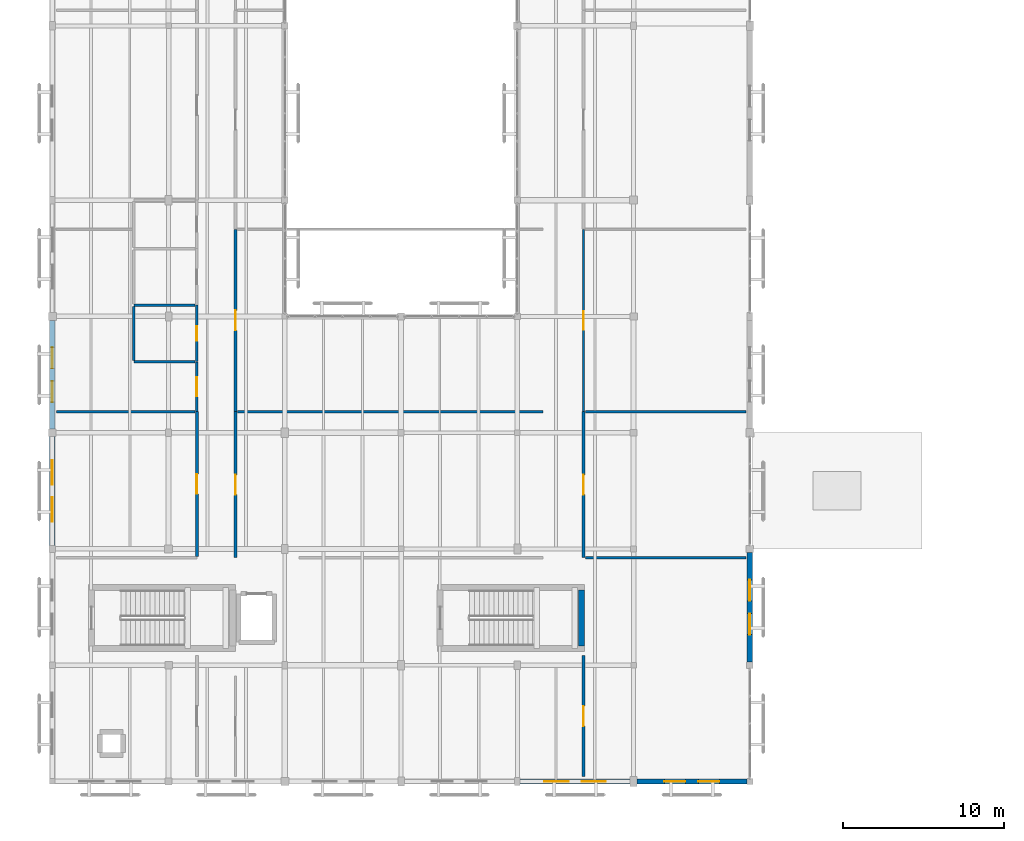
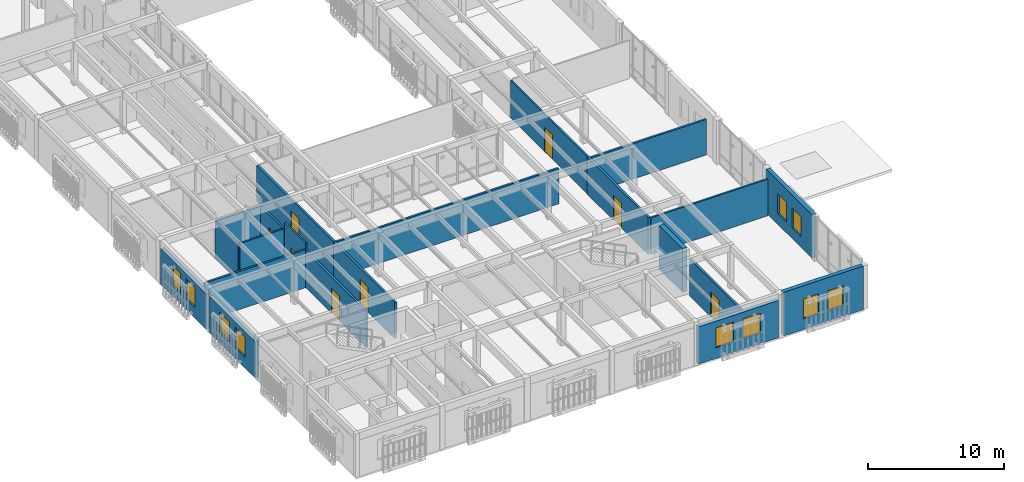
# One storey, part 46 of 61: 21 walls, 10 windows, 8 doors, 18 openings.
"""IFC4 building model written with IfcOpenShell, lengths in metres."""

from ifc_helpers import new_model, si_unit, direction, frame, frame_2d, origin, place, context, subcontext, project, spatial, rectangle, extrude, material, layer, layer_set, type_object, element, fill, save


model = new_model("IFC4")

# Units and contexts
model_context = context("Model", 3, precision=1e-05, world=origin(), true_north=direction((0.0, 1.0)))
body_context = subcontext(model_context, "Body", "Model", "MODEL_VIEW")
ifc_project = project(units=[si_unit("LENGTHUNIT", "METRE"), si_unit("AREAUNIT", "SQUARE_METRE"), si_unit("VOLUMEUNIT", "CUBIC_METRE"), si_unit("PLANEANGLEUNIT", "RADIAN"), si_unit("MASSUNIT", "GRAM", prefix="KILO")], contexts=[model_context])

# Site, building, storey
site_placement = place(None, origin())
site = spatial("IfcSite", under=ifc_project, at=site_placement, CompositionType="ELEMENT")
building_placement = place(site_placement, origin())
building = spatial("IfcBuilding", under=site, at=building_placement, Name="Mazaris Harbour Polytechnic", CompositionType="ELEMENT")
storey_placement = place(building_placement, frame((0.0, 0.0, 18.0)))
storey = spatial("IfcBuildingStorey", under=building, at=storey_placement, Name="L04", CompositionType="ELEMENT", Elevation=18.0)

# Wall
ifc_material_1 = material(Name="Double Gypsum and Mineral Wool")
ifc_layer_1 = layer(ifc_material_1, 0.14990234375, Name="Double Gypsum and Mineral Wool")
ifc_layer_set_1 = layer_set([ifc_layer_1], Name="Double Gypsum and Mineral Wool")
wall_type_1 = type_object("IfcWallType", Name="Classroom Acoustic Partition 150", PredefinedType="PARTITIONING", material=ifc_layer_set_1)
wall_1_placement = place(storey_placement, frame((33.02001953125, 21.06005859375, 0.0), z_axis=(0.0, 0.0, 1.0), x_axis=(1.0, 0.0, 0.0)))
element("IfcWall", 1, at=wall_1_placement, inside=storey, type_object=wall_type_1, Name="V4 L04 Partition 469", PredefinedType="PARTITIONING", context=body_context, shape_type="SweptSolid", body=[
    extrude(rectangle(XDim=9.929931640625, YDim=0.14990234375, at=frame_2d((4.96484375, 0.0))), origin(), (0.0, 0.0, 1.0), 3.294921875),
])

# Wall, opening, door
ifc_material_2 = material(Name="Terracotta Block and Plaster", Category="masonry")
ifc_layer_2 = layer(ifc_material_2, 0.179931640625, Name="Terracotta Block and Plaster")
ifc_layer_set_2 = layer_set([ifc_layer_2], Name="Terracotta Block and Plaster")
wall_type_2 = type_object("IfcWallType", Name="Corridor Fire Partition 180", PredefinedType="PARTITIONING", material=ifc_layer_set_2)
wall_2_placement = place(storey_placement, frame((8.949951171875, 21.14501953125, 0.0), z_axis=(0.0, 0.0, 1.0), x_axis=(0.0, 1.0, 0.0)))
wall_2 = element("IfcWall", 2, at=wall_2_placement, inside=storey, type_object=wall_type_2, Name="V4 L04 Partition 447", PredefinedType="PARTITIONING", context=body_context, shape_type="SweptSolid", body=[
    extrude(rectangle(XDim=8.955078125, YDim=0.179931640625, at=frame_2d((4.4775390625, 0.0))), origin(), (0.0, 0.0, 1.0), 3.2548828125),
])
opening_1_placement = place(wall_2_placement, frame((3.867431640625, 0.0, 0.0)))
opening_1 = element("IfcOpeningElement", 3, at=opening_1_placement, cuts=wall_2, Name="Opening ID-10L", PredefinedType="OPENING", context=body_context, shape_type="SweptSolid", body=[
    extrude(rectangle(XDim=1.219970703125, YDim=2.25, at=frame_2d((0.60986328125, 1.125))), frame((0.0, 0.099853515625, 0.0), z_axis=(0.0, -1.0, 0.0), x_axis=(1.0, 0.0, 0.0)), (0.0, 0.0, 1.0), 0.199951171875),
])
ifc_material_3 = material(Name="Glulam Timber and Glass", Category="wood")
door_type_1 = type_object("IfcDoorType", Name="Library Commons Door LH 1220x2250", OperationType="SINGLE_SWING_LEFT", PredefinedType="DOOR", material=ifc_material_3)
door_1_placement = place(opening_1_placement, origin())
door_1 = element("IfcDoor", 4, at=door_1_placement, inside=storey, type_object=door_type_1, Name="ID-0211", OperationType="SINGLE_SWING_LEFT", OverallHeight=2.25, OverallWidth=1.219970703125, PredefinedType="DOOR", context=body_context, shape_type="SweptSolid", body=[
    extrude(rectangle(XDim=1.219970703125, YDim=2.25, at=frame_2d((0.60986328125, 1.125))), frame((0.0, 0.02490234375, 0.0), z_axis=(0.0, -1.0, 0.0), x_axis=(1.0, 0.0, 0.0)), (0.0, 0.0, 1.0), 0.050048828125),
])
fill(opening_1, door_1)

wall_3_placement = place(storey_placement, frame((11.35009765625, 21.06005859375, 0.0), z_axis=(0.0, 0.0, 1.0), x_axis=(0.0, 1.0, 0.0)))
wall_3 = element("IfcWall", 5, at=wall_3_placement, inside=storey, type_object=wall_type_2, Name="V4 L04 Partition 457", PredefinedType="PARTITIONING", context=body_context, shape_type="SweptSolid", body=[
    extrude(rectangle(XDim=9.0400390625, YDim=0.179931640625, at=frame_2d((4.52001953125, 0.0))), origin(), (0.0, 0.0, 1.0), 3.2548828125),
])
opening_2_placement = place(wall_3_placement, frame((3.909912109375, 0.0, 0.0)))
opening_2 = element("IfcOpeningElement", 6, at=opening_2_placement, cuts=wall_3, Name="Opening ID-10L", PredefinedType="OPENING", context=body_context, shape_type="SweptSolid", body=[
    extrude(rectangle(XDim=1.219970703125, YDim=2.25, at=frame_2d((0.60986328125, 1.125))), frame((0.0, 0.099853515625, 0.0), z_axis=(0.0, -1.0, 0.0), x_axis=(1.0, 0.0, 0.0)), (0.0, 0.0, 1.0), 0.199951171875),
])
door_2_placement = place(opening_2_placement, origin())
door_2 = element("IfcDoor", 7, at=door_2_placement, inside=storey, type_object=door_type_1, Name="ID-0217", OperationType="SINGLE_SWING_LEFT", OverallHeight=2.25, OverallWidth=1.219970703125, PredefinedType="DOOR", context=body_context, shape_type="SweptSolid", body=[
    extrude(rectangle(XDim=1.219970703125, YDim=2.25, at=frame_2d((0.60986328125, 1.125))), frame((0.0, 0.02490234375, 0.0), z_axis=(0.0, -1.0, 0.0), x_axis=(1.0, 0.0, 0.0)), (0.0, 0.0, 1.0), 0.050048828125),
])
fill(opening_2, door_2)

wall_4_placement = place(storey_placement, frame((11.35009765625, 30.10498046875, 0.0), z_axis=(0.0, 0.0, 1.0), x_axis=(0.0, 1.0, 0.0)))
wall_4 = element("IfcWall", 8, at=wall_4_placement, inside=storey, type_object=wall_type_2, Name="V4 L04 Partition 460", PredefinedType="PARTITIONING", context=body_context, shape_type="SweptSolid", body=[
    extrude(rectangle(XDim=11.294921875, YDim=0.179931640625, at=frame_2d((5.6474609375, 0.0))), origin(), (0.0, 0.0, 1.0), 3.2548828125),
])
opening_3_placement = place(wall_4_placement, frame((5.027587890625, 0.0, 0.0)))
opening_3 = element("IfcOpeningElement", 9, at=opening_3_placement, cuts=wall_4, Name="Opening ID-10R", PredefinedType="OPENING", context=body_context, shape_type="SweptSolid", body=[
    extrude(rectangle(XDim=1.239990234375, YDim=2.25, at=frame_2d((0.6201171875, 1.125))), frame((0.0, 0.099853515625, 0.0), z_axis=(0.0, -1.0, 0.0), x_axis=(1.0, 0.0, 0.0)), (0.0, 0.0, 1.0), 0.199951171875),
])
ifc_material_4 = material(Name="Glulam Timber and Glass", Category="wood")
door_type_2 = type_object("IfcDoorType", Name="Library Commons Door RH 1240x2250", OperationType="SINGLE_SWING_RIGHT", PredefinedType="DOOR", material=ifc_material_4)
door_3_placement = place(opening_3_placement, origin())
door_3 = element("IfcDoor", 10, at=door_3_placement, inside=storey, type_object=door_type_2, Name="ID-0218", OperationType="SINGLE_SWING_RIGHT", OverallHeight=2.25, OverallWidth=1.239990234375, PredefinedType="DOOR", context=body_context, shape_type="SweptSolid", body=[
    extrude(rectangle(XDim=1.239990234375, YDim=2.25, at=frame_2d((0.6201171875, 1.125))), frame((0.0, 0.02490234375, 0.0), z_axis=(0.0, -1.0, 0.0), x_axis=(1.0, 0.0, 0.0)), (0.0, 0.0, 1.0), 0.050048828125),
])
fill(opening_3, door_3)

wall_5_placement = place(storey_placement, frame((32.89990234375, 7.5, 0.0), z_axis=(0.0, 0.0, 1.0), x_axis=(0.0, 1.0, 0.0)))
wall_5 = element("IfcWall", 11, at=wall_5_placement, inside=storey, type_object=wall_type_2, Name="V4 L04 Partition 468", PredefinedType="PARTITIONING", context=body_context, shape_type="SweptSolid", body=[
    extrude(rectangle(XDim=7.4951171875, YDim=0.179931640625, at=frame_2d((3.74755859375, 0.0))), origin(), (0.0, 0.0, 1.0), 3.35498046875),
])
opening_4_placement = place(wall_5_placement, frame((3.12744140625, 0.0, 0.0)))
opening_4 = element("IfcOpeningElement", 12, at=opening_4_placement, cuts=wall_5, Name="Opening ID-10R", PredefinedType="OPENING", context=body_context, shape_type="SweptSolid", body=[
    extrude(rectangle(XDim=1.239990234375, YDim=2.25, at=frame_2d((0.6201171875, 1.125))), frame((0.0, 0.099853515625, 0.0), z_axis=(0.0, -1.0, 0.0), x_axis=(1.0, 0.0, 0.0)), (0.0, 0.0, 1.0), 0.199951171875),
])
door_4_placement = place(opening_4_placement, origin())
door_4 = element("IfcDoor", 13, at=door_4_placement, inside=storey, type_object=door_type_2, Name="ID-0222", OperationType="SINGLE_SWING_RIGHT", OverallHeight=2.25, OverallWidth=1.239990234375, PredefinedType="DOOR", context=body_context, shape_type="SweptSolid", body=[
    extrude(rectangle(XDim=1.239990234375, YDim=2.25, at=frame_2d((0.6201171875, 1.125))), frame((0.0, 0.02490234375, 0.0), z_axis=(0.0, -1.0, 0.0), x_axis=(1.0, 0.0, 0.0)), (0.0, 0.0, 1.0), 0.050048828125),
])
fill(opening_4, door_4)

wall_6_placement = place(storey_placement, frame((32.89990234375, 21.06005859375, 0.0), z_axis=(0.0, 0.0, 1.0), x_axis=(0.0, 1.0, 0.0)))
wall_6 = element("IfcWall", 14, at=wall_6_placement, inside=storey, type_object=wall_type_2, Name="V4 L04 Partition 470", PredefinedType="PARTITIONING", context=body_context, shape_type="SweptSolid", body=[
    extrude(rectangle(XDim=9.0400390625, YDim=0.179931640625, at=frame_2d((4.52001953125, 0.0))), origin(), (0.0, 0.0, 1.0), 3.35498046875),
])
opening_5_placement = place(wall_6_placement, frame((3.909912109375, 0.0, 0.0)))
opening_5 = element("IfcOpeningElement", 15, at=opening_5_placement, cuts=wall_6, Name="Opening ID-10L", PredefinedType="OPENING", context=body_context, shape_type="SweptSolid", body=[
    extrude(rectangle(XDim=1.219970703125, YDim=2.25, at=frame_2d((0.60986328125, 1.125))), frame((0.0, 0.099853515625, 0.0), z_axis=(0.0, -1.0, 0.0), x_axis=(1.0, 0.0, 0.0)), (0.0, 0.0, 1.0), 0.199951171875),
])
door_5_placement = place(opening_5_placement, origin())
door_5 = element("IfcDoor", 16, at=door_5_placement, inside=storey, type_object=door_type_1, Name="ID-0223", OperationType="SINGLE_SWING_LEFT", OverallHeight=2.25, OverallWidth=1.219970703125, PredefinedType="DOOR", context=body_context, shape_type="SweptSolid", body=[
    extrude(rectangle(XDim=1.219970703125, YDim=2.25, at=frame_2d((0.60986328125, 1.125))), frame((0.0, 0.02490234375, 0.0), z_axis=(0.0, -1.0, 0.0), x_axis=(1.0, 0.0, 0.0)), (0.0, 0.0, 1.0), 0.050048828125),
])
fill(opening_5, door_5)

# Walls
ifc_material_5 = material(Name="Fireboard and Mineral Wool")
ifc_layer_3 = layer(ifc_material_5, 0.1650390625, Name="Fireboard and Mineral Wool")
ifc_layer_set_3 = layer_set([ifc_layer_3], Name="Fireboard and Mineral Wool")
wall_type_3 = type_object("IfcWallType", Name="Laboratory Rated Partition 165", PredefinedType="PARTITIONING", material=ifc_layer_set_3)
wall_7_placement = place(storey_placement, frame((0.25, 30.10009765625, 0.0), z_axis=(0.0, 0.0, 1.0), x_axis=(1.0, 0.0, 0.0)))
element("IfcWall", 17, at=wall_7_placement, inside=storey, type_object=wall_type_3, Name="V4 L04 Partition 448", PredefinedType="PARTITIONING", context=body_context, shape_type="SweptSolid", body=[
    extrude(rectangle(XDim=8.580078125, YDim=0.1650390625, at=frame_2d((4.2900390625, 0.0))), origin(), (0.0, 0.0, 1.0), 3.4150390625),
])
wall_8_placement = place(storey_placement, frame((11.469970703125, 30.10009765625, 0.0), z_axis=(0.0, 0.0, 1.0), x_axis=(1.0, 0.0, 0.0)))
element("IfcWall", 18, at=wall_8_placement, inside=storey, type_object=wall_type_3, Name="V4 L04 Partition 459", PredefinedType="PARTITIONING", context=body_context, shape_type="SweptSolid", body=[
    extrude(rectangle(XDim=18.909912109375, YDim=0.1650390625, at=frame_2d((9.455078125, 0.0))), origin(), (0.0, 0.0, 1.0), 3.195068359375),
])
wall_9_placement = place(storey_placement, frame((33.02001953125, 30.10009765625, 0.0), z_axis=(0.0, 0.0, 1.0), x_axis=(1.0, 0.0, 0.0)))
element("IfcWall", 19, at=wall_9_placement, inside=storey, type_object=wall_type_3, Name="V4 L04 Partition 471", PredefinedType="PARTITIONING", context=body_context, shape_type="SweptSolid", body=[
    extrude(rectangle(XDim=9.929931640625, YDim=0.1650390625, at=frame_2d((4.96484375, 0.0))), origin(), (0.0, 0.0, 1.0), 3.195068359375),
])

# Wall, opening, door
ifc_material_6 = material(Name="Moisture-Resistant Blockwork", Category="masonry")
ifc_layer_4 = layer(ifc_material_6, 0.175048828125, Name="Moisture-Resistant Blockwork")
ifc_layer_set_4 = layer_set([ifc_layer_4], Name="Moisture-Resistant Blockwork")
wall_type_4 = type_object("IfcWallType", Name="Laboratory Wet Service Wall 175", PredefinedType="PLUMBINGWALL", material=ifc_layer_set_4)
wall_10_placement = place(storey_placement, frame((8.949951171875, 33.199951171875, 0.0), z_axis=(0.0, 0.0, 1.0), x_axis=(0.0, 1.0, 0.0)))
wall_10 = element("IfcWall", 20, at=wall_10_placement, inside=storey, type_object=wall_type_4, Name="V4 L04 Partition 435", PredefinedType="PLUMBINGWALL", context=body_context, shape_type="SweptSolid", body=[
    extrude(rectangle(XDim=3.5, YDim=0.175048828125, at=frame_2d((1.75, 0.0))), origin(), (0.0, 0.0, 1.0), 3.2548828125),
])
opening_6_placement = place(wall_10_placement, frame((1.300048828125, 0.0, 0.0)))
opening_6 = element("IfcOpeningElement", 21, at=opening_6_placement, cuts=wall_10, Name="Opening ID-07R", PredefinedType="OPENING", context=body_context, shape_type="SweptSolid", body=[
    extrude(rectangle(XDim=0.89990234375, YDim=2.10009765625, at=frame_2d((0.449951171875, 1.050048828125))), frame((0.0, 0.097412109375, 0.0), z_axis=(0.0, -1.0, 0.0), x_axis=(1.0, 0.0, 0.0)), (0.0, 0.0, 1.0), 0.195068359375),
])
ifc_material_7 = material(Name="Moisture-Resistant Laminate Timber", Category="wood")
door_type_3 = type_object("IfcDoorType", Name="Sanitary Room Door RH 900x2100", OperationType="SINGLE_SWING_RIGHT", PredefinedType="DOOR", material=ifc_material_7)
door_6_placement = place(opening_6_placement, origin())
door_6 = element("IfcDoor", 22, at=door_6_placement, inside=storey, type_object=door_type_3, Name="ID-0207", OperationType="SINGLE_SWING_RIGHT", OverallHeight=2.10009765625, OverallWidth=0.89990234375, PredefinedType="DOOR", context=body_context, shape_type="SweptSolid", body=[
    extrude(rectangle(XDim=0.89990234375, YDim=2.10009765625, at=frame_2d((0.449951171875, 1.050048828125))), frame((0.0, 0.02490234375, 0.0), z_axis=(0.0, -1.0, 0.0), x_axis=(1.0, 0.0, 0.0)), (0.0, 0.0, 1.0), 0.050048828125),
])
fill(opening_6, door_6)

# Wall, openings, windows
ifc_material_8 = material(Name="Algerian Buff Limestone and Mineral Wool", Category="masonry")
ifc_layer_5 = layer(ifc_material_8, 0.330078125, Name="Algerian Buff Limestone and Mineral Wool")
ifc_layer_set_5 = layer_set([ifc_layer_5], Name="Algerian Buff Limestone and Mineral Wool")
wall_type_5 = type_object("IfcWallType", Name="Limestone Cavity Wall 330", PredefinedType="STANDARD", material=ifc_layer_set_5)
wall_11_placement = place(storey_placement, frame((35.7880859375, 7.199951171875, 0.0), z_axis=(0.0, 0.0, 1.0), x_axis=(-1.0, 0.0, 0.0)))
wall_11 = element("IfcWall", 23, at=wall_11_placement, inside=storey, type_object=wall_type_5, Name="V4 L04 Exterior Wall 250", PredefinedType="STANDARD", context=body_context, shape_type="SweptSolid", body=[
    extrude(rectangle(XDim=6.816162109375, YDim=0.330078125, at=frame_2d((3.408203125, 0.0))), origin(), (0.0, 0.0, 1.0), 3.35498046875),
])
opening_7_placement = place(wall_11_placement, frame((1.508056640625, 0.0, 0.949951171875)))
opening_7 = element("IfcOpeningElement", 24, at=opening_7_placement, cuts=wall_11, Name="Opening WN-14", PredefinedType="OPENING", context=body_context, shape_type="SweptSolid", body=[
    extrude(rectangle(XDim=1.5, YDim=1.800048828125, at=frame_2d((0.75, 0.89990234375))), frame((0.0, 0.175048828125, 0.0), z_axis=(0.0, -1.0, 0.0), x_axis=(1.0, 0.0, 0.0)), (0.0, 0.0, 1.0), 0.35009765625),
])
opening_8_placement = place(wall_11_placement, frame((3.80810546875, 0.0, 0.949951171875)))
opening_8 = element("IfcOpeningElement", 25, at=opening_8_placement, cuts=wall_11, Name="Opening WN-14", PredefinedType="OPENING", context=body_context, shape_type="SweptSolid", body=[
    extrude(rectangle(XDim=1.5, YDim=1.800048828125, at=frame_2d((0.75, 0.89990234375))), frame((0.0, 0.175048828125, 0.0), z_axis=(0.0, -1.0, 0.0), x_axis=(1.0, 0.0, 0.0)), (0.0, 0.0, 1.0), 0.35009765625),
])
ifc_material_9 = material(Name="Thermally Broken Bronze Aluminium and Low-E Glass", Category="aluminium")
window_type_1 = type_object("IfcWindowType", Name="Attic Deep-Reveal Window 1500x1800", PartitioningType="DOUBLE_PANEL_VERTICAL", PredefinedType="WINDOW", material=ifc_material_9)
window_1_placement = place(opening_7_placement, origin())
window_1 = element("IfcWindow", 26, at=window_1_placement, inside=storey, type_object=window_type_1, Name="WN-0270", OverallHeight=1.800048828125, OverallWidth=1.5, PartitioningType="DOUBLE_PANEL_VERTICAL", PredefinedType="WINDOW", context=body_context, shape_type="SweptSolid", body=[
    extrude(rectangle(XDim=1.5, YDim=1.800048828125, at=frame_2d((0.75, 0.89990234375))), frame((0.0, 0.030029296875, 0.0), z_axis=(0.0, -1.0, 0.0), x_axis=(1.0, 0.0, 0.0)), (0.0, 0.0, 1.0), 0.06005859375),
])
fill(opening_7, window_1)
window_2_placement = place(opening_8_placement, origin())
window_2 = element("IfcWindow", 27, at=window_2_placement, inside=storey, type_object=window_type_1, Name="WN-0271", OverallHeight=1.800048828125, OverallWidth=1.5, PartitioningType="DOUBLE_PANEL_VERTICAL", PredefinedType="WINDOW", context=body_context, shape_type="SweptSolid", body=[
    extrude(rectangle(XDim=1.5, YDim=1.800048828125, at=frame_2d((0.75, 0.89990234375))), frame((0.0, 0.030029296875, 0.0), z_axis=(0.0, -1.0, 0.0), x_axis=(1.0, 0.0, 0.0)), (0.0, 0.0, 1.0), 0.06005859375),
])
fill(opening_8, window_2)

wall_12_placement = place(storey_placement, frame((43.01806640625, 7.199951171875, 0.0), z_axis=(0.0, 0.0, 1.0), x_axis=(-1.0, 0.0, 0.0)))
wall_12 = element("IfcWall", 28, at=wall_12_placement, inside=storey, type_object=wall_type_5, Name="V4 L04 Exterior Wall 251", PredefinedType="STANDARD", context=body_context, shape_type="SweptSolid", body=[
    extrude(rectangle(XDim=6.80615234375, YDim=0.330078125, at=frame_2d((3.403076171875, 0.0))), origin(), (0.0, 0.0, 1.0), 3.93505859375),
])
opening_9_placement = place(wall_12_placement, frame((1.702880859375, 0.0, 0.949951171875)))
opening_9 = element("IfcOpeningElement", 29, at=opening_9_placement, cuts=wall_12, Name="Opening WN-13", PredefinedType="OPENING", context=body_context, shape_type="SweptSolid", body=[
    extrude(rectangle(XDim=1.300048828125, YDim=1.800048828125, at=frame_2d((0.64990234375, 0.89990234375))), frame((0.0, 0.175048828125, 0.0), z_axis=(0.0, -1.0, 0.0), x_axis=(1.0, 0.0, 0.0)), (0.0, 0.0, 1.0), 0.35009765625),
])
opening_10_placement = place(wall_12_placement, frame((3.802978515625, 0.0, 0.949951171875)))
opening_10 = element("IfcOpeningElement", 30, at=opening_10_placement, cuts=wall_12, Name="Opening WN-13", PredefinedType="OPENING", context=body_context, shape_type="SweptSolid", body=[
    extrude(rectangle(XDim=1.300048828125, YDim=1.800048828125, at=frame_2d((0.64990234375, 0.89990234375))), frame((0.0, 0.175048828125, 0.0), z_axis=(0.0, -1.0, 0.0), x_axis=(1.0, 0.0, 0.0)), (0.0, 0.0, 1.0), 0.35009765625),
])
ifc_material_10 = material(Name="Thermally Broken Bronze Aluminium and Low-E Glass", Category="aluminium")
window_type_2 = type_object("IfcWindowType", Name="Attic Deep-Reveal Window 1300x1800", PartitioningType="DOUBLE_PANEL_VERTICAL", PredefinedType="WINDOW", material=ifc_material_10)
window_3_placement = place(opening_9_placement, origin())
window_3 = element("IfcWindow", 31, at=window_3_placement, inside=storey, type_object=window_type_2, Name="WN-0272", OverallHeight=1.800048828125, OverallWidth=1.300048828125, PartitioningType="DOUBLE_PANEL_VERTICAL", PredefinedType="WINDOW", context=body_context, shape_type="SweptSolid", body=[
    extrude(rectangle(XDim=1.300048828125, YDim=1.800048828125, at=frame_2d((0.64990234375, 0.89990234375))), frame((0.0, 0.030029296875, 0.0), z_axis=(0.0, -1.0, 0.0), x_axis=(1.0, 0.0, 0.0)), (0.0, 0.0, 1.0), 0.06005859375),
])
fill(opening_9, window_3)
window_4_placement = place(opening_10_placement, origin())
window_4 = element("IfcWindow", 32, at=window_4_placement, inside=storey, type_object=window_type_2, Name="WN-0273", OverallHeight=1.800048828125, OverallWidth=1.300048828125, PartitioningType="DOUBLE_PANEL_VERTICAL", PredefinedType="WINDOW", context=body_context, shape_type="SweptSolid", body=[
    extrude(rectangle(XDim=1.300048828125, YDim=1.800048828125, at=frame_2d((0.64990234375, 0.89990234375))), frame((0.0, 0.030029296875, 0.0), z_axis=(0.0, -1.0, 0.0), x_axis=(1.0, 0.0, 0.0)), (0.0, 0.0, 1.0), 0.06005859375),
])
fill(opening_10, window_4)

wall_13_placement = place(storey_placement, frame((0.0, 21.802001953125, 0.0), z_axis=(0.0, 0.0, 1.0), x_axis=(0.0, 1.0, 0.0)))
wall_13 = element("IfcWall", 33, at=wall_13_placement, inside=storey, type_object=wall_type_5, Name="V4 L04 Exterior Wall 260", PredefinedType="STANDARD", context=body_context, shape_type="SweptSolid", body=[
    extrude(rectangle(XDim=6.77587890625, YDim=0.330078125, at=frame_2d((3.387939453125, 0.0))), origin(), (0.0, 0.0, 1.0), 3.2548828125),
])
opening_11_placement = place(wall_13_placement, frame((1.488037109375, 0.0, 0.949951171875)))
opening_11 = element("IfcOpeningElement", 34, at=opening_11_placement, cuts=wall_13, Name="Opening WN-14", PredefinedType="OPENING", context=body_context, shape_type="SweptSolid", body=[
    extrude(rectangle(XDim=1.5, YDim=1.800048828125, at=frame_2d((0.75, 0.89990234375))), frame((0.0, 0.175048828125, 0.0), z_axis=(0.0, -1.0, 0.0), x_axis=(1.0, 0.0, 0.0)), (0.0, 0.0, 1.0), 0.35009765625),
])
opening_12_placement = place(wall_13_placement, frame((3.7880859375, 0.0, 0.949951171875)))
opening_12 = element("IfcOpeningElement", 35, at=opening_12_placement, cuts=wall_13, Name="Opening WN-14", PredefinedType="OPENING", context=body_context, shape_type="SweptSolid", body=[
    extrude(rectangle(XDim=1.5, YDim=1.800048828125, at=frame_2d((0.75, 0.89990234375))), frame((0.0, 0.175048828125, 0.0), z_axis=(0.0, -1.0, 0.0), x_axis=(1.0, 0.0, 0.0)), (0.0, 0.0, 1.0), 0.35009765625),
])
window_5_placement = place(opening_11_placement, origin())
window_5 = element("IfcWindow", 36, at=window_5_placement, inside=storey, type_object=window_type_1, Name="WN-0290", OverallHeight=1.800048828125, OverallWidth=1.5, PartitioningType="DOUBLE_PANEL_VERTICAL", PredefinedType="WINDOW", context=body_context, shape_type="SweptSolid", body=[
    extrude(rectangle(XDim=1.5, YDim=1.800048828125, at=frame_2d((0.75, 0.89990234375))), frame((0.0, 0.030029296875, 0.0), z_axis=(0.0, -1.0, 0.0), x_axis=(1.0, 0.0, 0.0)), (0.0, 0.0, 1.0), 0.06005859375),
])
fill(opening_11, window_5)
window_6_placement = place(opening_12_placement, origin())
window_6 = element("IfcWindow", 37, at=window_6_placement, inside=storey, type_object=window_type_1, Name="WN-0291", OverallHeight=1.800048828125, OverallWidth=1.5, PartitioningType="DOUBLE_PANEL_VERTICAL", PredefinedType="WINDOW", context=body_context, shape_type="SweptSolid", body=[
    extrude(rectangle(XDim=1.5, YDim=1.800048828125, at=frame_2d((0.75, 0.89990234375))), frame((0.0, 0.030029296875, 0.0), z_axis=(0.0, -1.0, 0.0), x_axis=(1.0, 0.0, 0.0)), (0.0, 0.0, 1.0), 0.06005859375),
])
fill(opening_12, window_6)

wall_14_placement = place(storey_placement, frame((0.0, 29.02197265625, 0.0), z_axis=(0.0, 0.0, 1.0), x_axis=(0.0, 1.0, 0.0)))
wall_14 = element("IfcWall", 38, at=wall_14_placement, inside=storey, type_object=wall_type_5, Name="V4 L04 Exterior Wall 261", PredefinedType="STANDARD", context=body_context, shape_type="SweptSolid", body=[
    extrude(rectangle(XDim=6.736083984375, YDim=0.330078125, at=frame_2d((3.3681640625, 0.0))), origin(), (0.0, 0.0, 1.0), 3.195068359375),
])
opening_13_placement = place(wall_14_placement, frame((1.66796875, 0.0, 0.949951171875)))
opening_13 = element("IfcOpeningElement", 39, at=opening_13_placement, cuts=wall_14, Name="Opening WN-13", PredefinedType="OPENING", context=body_context, shape_type="SweptSolid", body=[
    extrude(rectangle(XDim=1.300048828125, YDim=1.800048828125, at=frame_2d((0.64990234375, 0.89990234375))), frame((0.0, 0.175048828125, 0.0), z_axis=(0.0, -1.0, 0.0), x_axis=(1.0, 0.0, 0.0)), (0.0, 0.0, 1.0), 0.35009765625),
])
opening_14_placement = place(wall_14_placement, frame((3.76806640625, 0.0, 0.949951171875)))
opening_14 = element("IfcOpeningElement", 40, at=opening_14_placement, cuts=wall_14, Name="Opening WN-13", PredefinedType="OPENING", context=body_context, shape_type="SweptSolid", body=[
    extrude(rectangle(XDim=1.300048828125, YDim=1.800048828125, at=frame_2d((0.64990234375, 0.89990234375))), frame((0.0, 0.175048828125, 0.0), z_axis=(0.0, -1.0, 0.0), x_axis=(1.0, 0.0, 0.0)), (0.0, 0.0, 1.0), 0.35009765625),
])
window_7_placement = place(opening_13_placement, origin())
window_7 = element("IfcWindow", 41, at=window_7_placement, inside=storey, type_object=window_type_2, Name="WN-0292", OverallHeight=1.800048828125, OverallWidth=1.300048828125, PartitioningType="DOUBLE_PANEL_VERTICAL", PredefinedType="WINDOW", context=body_context, shape_type="SweptSolid", body=[
    extrude(rectangle(XDim=1.300048828125, YDim=1.800048828125, at=frame_2d((0.64990234375, 0.89990234375))), frame((0.0, 0.030029296875, 0.0), z_axis=(0.0, -1.0, 0.0), x_axis=(1.0, 0.0, 0.0)), (0.0, 0.0, 1.0), 0.06005859375),
])
fill(opening_13, window_7)
window_8_placement = place(opening_14_placement, origin())
window_8 = element("IfcWindow", 42, at=window_8_placement, inside=storey, type_object=window_type_2, Name="WN-0293", OverallHeight=1.800048828125, OverallWidth=1.300048828125, PartitioningType="DOUBLE_PANEL_VERTICAL", PredefinedType="WINDOW", context=body_context, shape_type="SweptSolid", body=[
    extrude(rectangle(XDim=1.300048828125, YDim=1.800048828125, at=frame_2d((0.64990234375, 0.89990234375))), frame((0.0, 0.030029296875, 0.0), z_axis=(0.0, -1.0, 0.0), x_axis=(1.0, 0.0, 0.0)), (0.0, 0.0, 1.0), 0.06005859375),
])
fill(opening_14, window_8)

wall_15_placement = place(storey_placement, frame((43.199951171875, 21.3779296875, 0.0), z_axis=(0.0, 0.0, 1.0), x_axis=(0.0, -1.0, 0.0)))
wall_15 = element("IfcWall", 43, at=wall_15_placement, inside=storey, type_object=wall_type_5, Name="V4 L04 Exterior Wall 267", PredefinedType="STANDARD", context=body_context, shape_type="SweptSolid", body=[
    extrude(rectangle(XDim=6.77587890625, YDim=0.330078125, at=frame_2d((3.387939453125, 0.0))), origin(), (0.0, 0.0, 1.0), 3.93505859375),
])
opening_15_placement = place(wall_15_placement, frame((1.68798828125, 0.0, 0.949951171875)))
opening_15 = element("IfcOpeningElement", 44, at=opening_15_placement, cuts=wall_15, Name="Opening WN-13", PredefinedType="OPENING", context=body_context, shape_type="SweptSolid", body=[
    extrude(rectangle(XDim=1.300048828125, YDim=1.800048828125, at=frame_2d((0.64990234375, 0.89990234375))), frame((0.0, 0.175048828125, 0.0), z_axis=(0.0, -1.0, 0.0), x_axis=(1.0, 0.0, 0.0)), (0.0, 0.0, 1.0), 0.35009765625),
])
opening_16_placement = place(wall_15_placement, frame((3.7880859375, 0.0, 0.949951171875)))
opening_16 = element("IfcOpeningElement", 45, at=opening_16_placement, cuts=wall_15, Name="Opening WN-13", PredefinedType="OPENING", context=body_context, shape_type="SweptSolid", body=[
    extrude(rectangle(XDim=1.300048828125, YDim=1.800048828125, at=frame_2d((0.64990234375, 0.89990234375))), frame((0.0, 0.175048828125, 0.0), z_axis=(0.0, -1.0, 0.0), x_axis=(1.0, 0.0, 0.0)), (0.0, 0.0, 1.0), 0.35009765625),
])
window_9_placement = place(opening_15_placement, origin())
window_9 = element("IfcWindow", 46, at=window_9_placement, inside=storey, type_object=window_type_2, Name="WN-0304", OverallHeight=1.800048828125, OverallWidth=1.300048828125, PartitioningType="DOUBLE_PANEL_VERTICAL", PredefinedType="WINDOW", context=body_context, shape_type="SweptSolid", body=[
    extrude(rectangle(XDim=1.300048828125, YDim=1.800048828125, at=frame_2d((0.64990234375, 0.89990234375))), frame((0.0, 0.030029296875, 0.0), z_axis=(0.0, -1.0, 0.0), x_axis=(1.0, 0.0, 0.0)), (0.0, 0.0, 1.0), 0.06005859375),
])
fill(opening_15, window_9)
window_10_placement = place(opening_16_placement, origin())
window_10 = element("IfcWindow", 47, at=window_10_placement, inside=storey, type_object=window_type_2, Name="WN-0305", OverallHeight=1.800048828125, OverallWidth=1.300048828125, PartitioningType="DOUBLE_PANEL_VERTICAL", PredefinedType="WINDOW", context=body_context, shape_type="SweptSolid", body=[
    extrude(rectangle(XDim=1.300048828125, YDim=1.800048828125, at=frame_2d((0.64990234375, 0.89990234375))), frame((0.0, 0.030029296875, 0.0), z_axis=(0.0, -1.0, 0.0), x_axis=(1.0, 0.0, 0.0)), (0.0, 0.0, 1.0), 0.06005859375),
])
fill(opening_16, window_10)

# Walls
ifc_material_11 = material(Name="Concrete C40/50", Category="concrete")
ifc_layer_6 = layer(ifc_material_11, 0.375, Name="Concrete C40/50")
ifc_layer_set_6 = layer_set([ifc_layer_6], Name="Concrete C40/50")
wall_type_6 = type_object("IfcWallType", Name="RC Core Shear Wall 375", PredefinedType="SHEAR", material=ifc_layer_set_6)
wall_16_placement = place(storey_placement, frame((32.77490234375, 15.60009765625, 0.0), z_axis=(0.0, 0.0, 1.0), x_axis=(0.0, 1.0, 0.0)))
element("IfcWall", 48, at=wall_16_placement, inside=storey, type_object=wall_type_6, Name="Core ST08 L04 Shear Wall E", PredefinedType="SHEAR", context=body_context, shape_type="SweptSolid", body=[
    extrude(rectangle(XDim=3.449951171875, YDim=0.375, at=frame_2d((1.72509765625, 0.0))), origin(), (0.0, 0.0, 1.0), 3.93505859375),
])
ifc_material_12 = material(Name="Moisture-Resistant Gypsum and Steel Stud", Category="steel")
ifc_layer_7 = layer(ifc_material_12, 0.14501953125, Name="Moisture-Resistant Gypsum and Steel Stud")
ifc_layer_set_7 = layer_set([ifc_layer_7], Name="Moisture-Resistant Gypsum and Steel Stud")
wall_type_7 = type_object("IfcWallType", Name="Sanitary Plumbing Wall 145", PredefinedType="PLUMBINGWALL", material=ifc_layer_set_7)
wall_17_placement = place(storey_placement, frame((5.050048828125, 33.199951171875, 0.0), z_axis=(0.0, 0.0, 1.0), x_axis=(1.0, 0.0, 0.0)))
element("IfcWall", 49, at=wall_17_placement, inside=storey, type_object=wall_type_7, Name="V4 L04 Partition 436", PredefinedType="PLUMBINGWALL", context=body_context, shape_type="SweptSolid", body=[
    extrude(rectangle(XDim=3.780029296875, YDim=0.14501953125, at=frame_2d((1.89013671875, 0.0))), origin(), (0.0, 0.0, 1.0), 3.4150390625),
])
wall_18_placement = place(storey_placement, frame((5.050048828125, 36.699951171875, 0.0), z_axis=(0.0, 0.0, 1.0), x_axis=(1.0, 0.0, 0.0)))
element("IfcWall", 50, at=wall_18_placement, inside=storey, type_object=wall_type_7, Name="V4 L04 Partition 437", PredefinedType="PLUMBINGWALL", context=body_context, shape_type="SweptSolid", body=[
    extrude(rectangle(XDim=3.780029296875, YDim=0.14501953125, at=frame_2d((1.89013671875, 0.0))), origin(), (0.0, 0.0, 1.0), 3.35498046875),
])
wall_19_placement = place(storey_placement, frame((5.050048828125, 33.282470703125, 0.0), z_axis=(0.0, 0.0, 1.0), x_axis=(0.0, 1.0, 0.0)))
element("IfcWall", 51, at=wall_19_placement, inside=storey, type_object=wall_type_7, Name="V4 L04 Partition 438", PredefinedType="PLUMBINGWALL", context=body_context, shape_type="SweptSolid", body=[
    extrude(rectangle(XDim=3.3349609375, YDim=0.14501953125, at=frame_2d((1.66748046875, 0.0))), origin(), (0.0, 0.0, 1.0), 3.294921875),
])

# Wall, opening, door
ifc_material_13 = material(Name="Gypsum Board and Mineral Wool")
ifc_layer_8 = layer(ifc_material_13, 0.135009765625, Name="Gypsum Board and Mineral Wool")
ifc_layer_set_8 = layer_set([ifc_layer_8], Name="Gypsum Board and Mineral Wool")
wall_type_8 = type_object("IfcWallType", Name="Studio Partition Wall 135", PredefinedType="PARTITIONING", material=ifc_layer_set_8)
wall_20_placement = place(storey_placement, frame((8.949951171875, 30.10498046875, 0.0), z_axis=(0.0, 0.0, 1.0), x_axis=(0.0, 1.0, 0.0)))
wall_20 = element("IfcWall", 52, at=wall_20_placement, inside=storey, type_object=wall_type_8, Name="V4 L04 Partition 449", PredefinedType="PARTITIONING", context=body_context, shape_type="SweptSolid", body=[
    extrude(rectangle(XDim=3.090087890625, YDim=0.135009765625, at=frame_2d((1.544921875, 0.0))), origin(), (0.0, 0.0, 1.0), 3.93505859375),
])
opening_17_placement = place(wall_20_placement, frame((0.965087890625, 0.0, 0.0)))
opening_17 = element("IfcOpeningElement", 53, at=opening_17_placement, cuts=wall_20, Name="Opening ID-03R", PredefinedType="OPENING", context=body_context, shape_type="SweptSolid", body=[
    extrude(rectangle(XDim=1.159912109375, YDim=2.199951171875, at=frame_2d((0.580078125, 1.10009765625))), frame((0.0, 0.077392578125, 0.0), z_axis=(0.0, -1.0, 0.0), x_axis=(1.0, 0.0, 0.0)), (0.0, 0.0, 1.0), 0.155029296875),
])
ifc_material_14 = material(Name="Glulam Timber and Acoustic Glass", Category="wood")
door_type_4 = type_object("IfcDoorType", Name="Design Studio Door RH 1160x2200", OperationType="SINGLE_SWING_RIGHT", PredefinedType="DOOR", material=ifc_material_14)
door_7_placement = place(opening_17_placement, origin())
door_7 = element("IfcDoor", 54, at=door_7_placement, inside=storey, type_object=door_type_4, Name="ID-0212", OperationType="SINGLE_SWING_RIGHT", OverallHeight=2.199951171875, OverallWidth=1.159912109375, PredefinedType="DOOR", context=body_context, shape_type="SweptSolid", body=[
    extrude(rectangle(XDim=1.159912109375, YDim=2.199951171875, at=frame_2d((0.580078125, 1.10009765625))), frame((0.0, 0.02490234375, 0.0), z_axis=(0.0, -1.0, 0.0), x_axis=(1.0, 0.0, 0.0)), (0.0, 0.0, 1.0), 0.050048828125),
])
fill(opening_17, door_7)

wall_21_placement = place(storey_placement, frame((32.89990234375, 30.10498046875, 0.0), z_axis=(0.0, 0.0, 1.0), x_axis=(0.0, 1.0, 0.0)))
wall_21 = element("IfcWall", 55, at=wall_21_placement, inside=storey, type_object=wall_type_8, Name="V4 L04 Partition 472", PredefinedType="PARTITIONING", context=body_context, shape_type="SweptSolid", body=[
    extrude(rectangle(XDim=11.294921875, YDim=0.135009765625, at=frame_2d((5.6474609375, 0.0))), origin(), (0.0, 0.0, 1.0), 3.35498046875),
])
opening_18_placement = place(wall_21_placement, frame((5.0673828125, 0.0, 0.0)))
opening_18 = element("IfcOpeningElement", 56, at=opening_18_placement, cuts=wall_21, Name="Opening ID-03R", PredefinedType="OPENING", context=body_context, shape_type="SweptSolid", body=[
    extrude(rectangle(XDim=1.159912109375, YDim=2.199951171875, at=frame_2d((0.580078125, 1.10009765625))), frame((0.0, 0.077392578125, 0.0), z_axis=(0.0, -1.0, 0.0), x_axis=(1.0, 0.0, 0.0)), (0.0, 0.0, 1.0), 0.155029296875),
])
door_8_placement = place(opening_18_placement, origin())
door_8 = element("IfcDoor", 57, at=door_8_placement, inside=storey, type_object=door_type_4, Name="ID-0224", OperationType="SINGLE_SWING_RIGHT", OverallHeight=2.199951171875, OverallWidth=1.159912109375, PredefinedType="DOOR", context=body_context, shape_type="SweptSolid", body=[
    extrude(rectangle(XDim=1.159912109375, YDim=2.199951171875, at=frame_2d((0.580078125, 1.10009765625))), frame((0.0, 0.02490234375, 0.0), z_axis=(0.0, -1.0, 0.0), x_axis=(1.0, 0.0, 0.0)), (0.0, 0.0, 1.0), 0.050048828125),
])
fill(opening_18, door_8)

save(model, "model.ifc")
